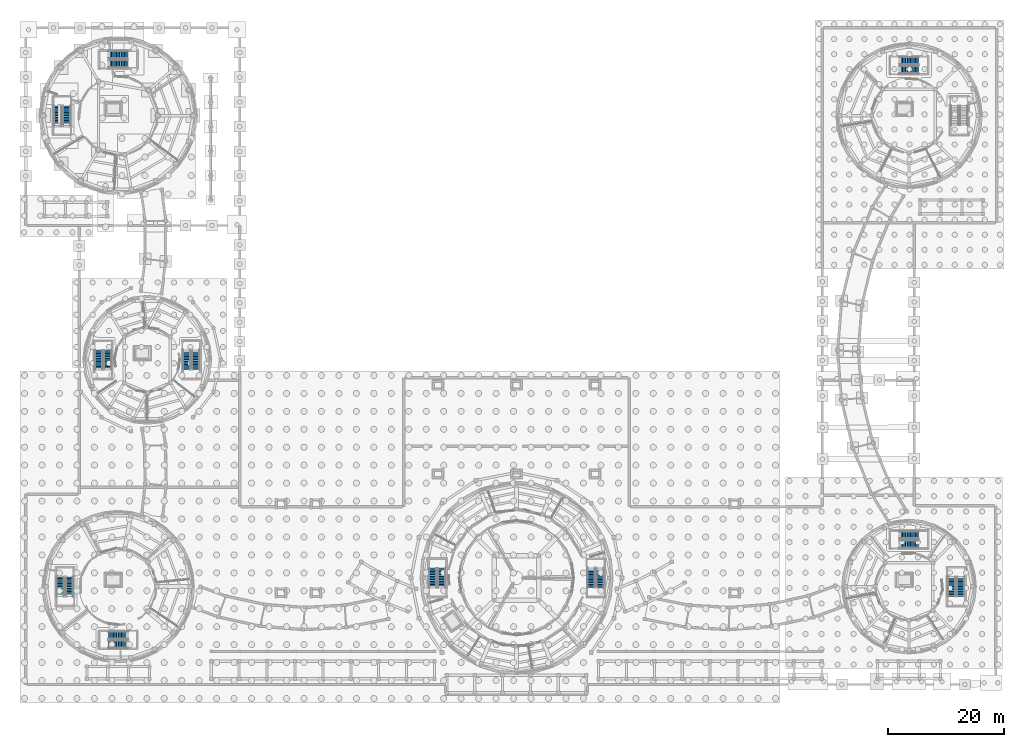
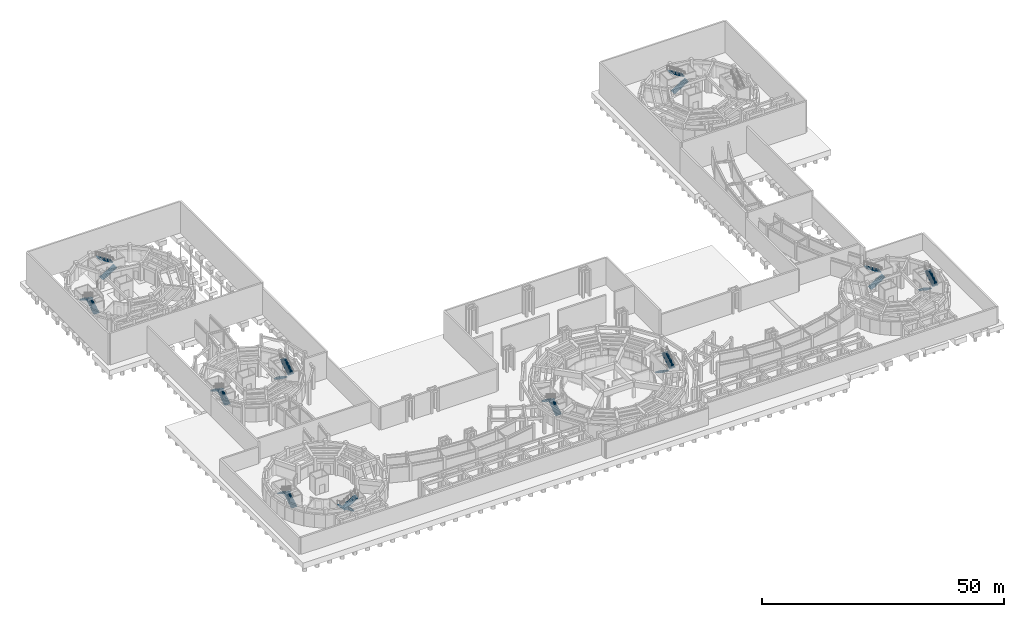
# One storey, part 48 of 57: 22 stair flights, 11 elements without a shape of their own.
"""IFC4 building model written with IfcOpenShell, lengths in metres."""

from ifc_helpers import new_model, si_unit, direction, frame, origin, place, context, subcontext, project, spatial, polyline, outline, extrude, material, type_object, element, aggregate, save


model = new_model("IFC4")

# Units and contexts
model_context = context("Model", 3, precision=1e-05, world=origin(), true_north=direction((0.0, 1.0)))
body_context = subcontext(model_context, "Body", "Model", "MODEL_VIEW")
ifc_project = project(units=[si_unit("LENGTHUNIT", "METRE"), si_unit("AREAUNIT", "SQUARE_METRE"), si_unit("VOLUMEUNIT", "CUBIC_METRE"), si_unit("PLANEANGLEUNIT", "RADIAN"), si_unit("MASSUNIT", "GRAM", prefix="KILO")], contexts=[model_context])

# Site, building, storey
site_placement = place(None, origin())
site = spatial("IfcSite", under=ifc_project, at=site_placement, CompositionType="ELEMENT")
building_placement = place(site_placement, origin())
building = spatial("IfcBuilding", under=site, at=building_placement, Name="Aldenvaro Health Centre", CompositionType="ELEMENT")
storey_placement = place(building_placement, frame((0.0, 0.0, -4.550048828125)))
storey = spatial("IfcBuildingStorey", under=building, at=storey_placement, Name="B1", CompositionType="ELEMENT", Elevation=-4.550048828125)

# Stair, stair flights
ifc_material = material(Name="Concrete f'c 40 MPa", Category="concrete")
stair_type = type_object("IfcStairType", Name="STR-DOG-455", PredefinedType="HALF_TURN_STAIR", material=ifc_material)
stair_1_placement = place(storey_placement, origin())
stair_1 = element("IfcStair", 1, at=stair_1_placement, inside=storey, type_object=stair_type, Name="B1 Exit Stair ST-01", PredefinedType="HALF_TURN_STAIR")
stair_flight_type_1 = type_object("IfcStairFlightType", Name="STRF-01", PredefinedType="STRAIGHT", material=ifc_material)
stair_flight_1_placement = place(storey_placement, frame((74.175048828125, 18.300048828125, 0.0), z_axis=(0.0, 0.0, 1.0), x_axis=(0.0, 1.0, 0.0)))
stair_flight_1 = element("IfcStairFlight", 2, at=stair_flight_1_placement, type_object=stair_flight_type_1, Name="ST-01 flight 1", NumberOfRisers=13, NumberOfTreads=12, PredefinedType="STRAIGHT", RiserHeight=0.175, TreadLength=0.28, context=body_context, shape_type="SweptSolid", body=[
    extrude(outline(polyline([(0.0, 0.0), (0.0, 0.175048828125), (0.280029296875, 0.175048828125), (0.280029296875, 0.35009765625), (0.56005859375, 0.35009765625), (0.56005859375, 0.52490234375), (0.840087890625, 0.52490234375), (0.840087890625, 0.699951171875), (1.1201171875, 0.699951171875), (1.1201171875, 0.875), (1.39990234375, 0.875), (1.39990234375, 1.050048828125), (1.679931640625, 1.050048828125), (1.679931640625, 1.22509765625), (1.9599609375, 1.22509765625), (1.9599609375, 1.39990234375), (2.239990234375, 1.39990234375), (2.239990234375, 1.574951171875), (2.52001953125, 1.574951171875), (2.52001953125, 1.75), (2.800048828125, 1.75), (2.800048828125, 1.925048828125), (3.080078125, 1.925048828125), (3.080078125, 2.10009765625), (3.360107421875, 2.10009765625), (3.360107421875, 2.27490234375), (3.360107421875, 1.911376953125), (0.3017578125, 0.0), (0.0, 0.0)])), frame((0.0, 0.675048828125, 0.0), z_axis=(0.0, -1.0, 0.0), x_axis=(1.0, 0.0, 0.0)), (0.0, 0.0, 1.0), 1.35009765625),
])
stair_flight_2_placement = place(storey_placement, frame((72.625, 21.659912109375, 2.275146484375), z_axis=(0.0, 0.0, 1.0), x_axis=(0.0, -1.0, 0.0)))
stair_flight_2 = element("IfcStairFlight", 3, at=stair_flight_2_placement, type_object=stair_flight_type_1, Name="ST-01 flight 2", NumberOfRisers=13, NumberOfTreads=12, PredefinedType="STRAIGHT", RiserHeight=0.175, TreadLength=0.28, context=body_context, shape_type="SweptSolid", body=[
    extrude(outline(polyline([(0.0, 0.0), (0.0, 0.175048828125), (0.280029296875, 0.175048828125), (0.280029296875, 0.35009765625), (0.56005859375, 0.35009765625), (0.56005859375, 0.52490234375), (0.840087890625, 0.52490234375), (0.840087890625, 0.699951171875), (1.1201171875, 0.699951171875), (1.1201171875, 0.875), (1.39990234375, 0.875), (1.39990234375, 1.050048828125), (1.679931640625, 1.050048828125), (1.679931640625, 1.22509765625), (1.9599609375, 1.22509765625), (1.9599609375, 1.39990234375), (2.239990234375, 1.39990234375), (2.239990234375, 1.574951171875), (2.52001953125, 1.574951171875), (2.52001953125, 1.75), (2.800048828125, 1.75), (2.800048828125, 1.925048828125), (3.080078125, 1.925048828125), (3.080078125, 2.10009765625), (3.360107421875, 2.10009765625), (3.360107421875, 2.27490234375), (3.360107421875, 1.911376953125), (0.3017578125, 0.0), (0.0, 0.0)])), frame((0.0, 0.675048828125, 0.0), z_axis=(0.0, -1.0, 0.0), x_axis=(1.0, 0.0, 0.0)), (0.0, 0.0, 1.0), 1.35009765625),
])
aggregate(stair_1, [stair_flight_1, stair_flight_2])

stair_2_placement = place(storey_placement, origin())
stair_2 = element("IfcStair", 4, at=stair_2_placement, inside=storey, type_object=stair_type, Name="B1 Exit Stair ST-05", PredefinedType="HALF_TURN_STAIR")
stair_flight_3_placement = place(storey_placement, frame((30.324951171875, 59.199951171875, 0.0), z_axis=(0.0, 0.0, 1.0), x_axis=(0.0, -1.0, 0.0)))
stair_flight_3 = element("IfcStairFlight", 5, at=stair_flight_3_placement, type_object=stair_flight_type_1, Name="ST-05 flight 1", NumberOfRisers=13, NumberOfTreads=12, PredefinedType="STRAIGHT", RiserHeight=0.175, TreadLength=0.28, context=body_context, shape_type="SweptSolid", body=[
    extrude(outline(polyline([(0.0, 0.0), (0.0, 0.175048828125), (0.280029296875, 0.175048828125), (0.280029296875, 0.35009765625), (0.56005859375, 0.35009765625), (0.56005859375, 0.52490234375), (0.840087890625, 0.52490234375), (0.840087890625, 0.699951171875), (1.1201171875, 0.699951171875), (1.1201171875, 0.875), (1.39990234375, 0.875), (1.39990234375, 1.050048828125), (1.679931640625, 1.050048828125), (1.679931640625, 1.22509765625), (1.9599609375, 1.22509765625), (1.9599609375, 1.39990234375), (2.239990234375, 1.39990234375), (2.239990234375, 1.574951171875), (2.52001953125, 1.574951171875), (2.52001953125, 1.75), (2.800048828125, 1.75), (2.800048828125, 1.925048828125), (3.080078125, 1.925048828125), (3.080078125, 2.10009765625), (3.360107421875, 2.10009765625), (3.360107421875, 2.27490234375), (3.360107421875, 1.911376953125), (0.3017578125, 0.0), (0.0, 0.0)])), frame((0.0, 0.675048828125, 0.0), z_axis=(0.0, -1.0, 0.0), x_axis=(1.0, 0.0, 0.0)), (0.0, 0.0, 1.0), 1.35009765625),
])
stair_flight_4_placement = place(storey_placement, frame((31.875, 55.840087890625, 2.275146484375), z_axis=(0.0, 0.0, 1.0), x_axis=(0.0, 1.0, 0.0)))
stair_flight_4 = element("IfcStairFlight", 6, at=stair_flight_4_placement, type_object=stair_flight_type_1, Name="ST-05 flight 2", NumberOfRisers=13, NumberOfTreads=12, PredefinedType="STRAIGHT", RiserHeight=0.175, TreadLength=0.28, context=body_context, shape_type="SweptSolid", body=[
    extrude(outline(polyline([(0.0, 0.0), (0.0, 0.175048828125), (0.280029296875, 0.175048828125), (0.280029296875, 0.35009765625), (0.56005859375, 0.35009765625), (0.56005859375, 0.52490234375), (0.840087890625, 0.52490234375), (0.840087890625, 0.699951171875), (1.1201171875, 0.699951171875), (1.1201171875, 0.875), (1.39990234375, 0.875), (1.39990234375, 1.050048828125), (1.679931640625, 1.050048828125), (1.679931640625, 1.22509765625), (1.9599609375, 1.22509765625), (1.9599609375, 1.39990234375), (2.239990234375, 1.39990234375), (2.239990234375, 1.574951171875), (2.52001953125, 1.574951171875), (2.52001953125, 1.75), (2.800048828125, 1.75), (2.800048828125, 1.925048828125), (3.080078125, 1.925048828125), (3.080078125, 2.10009765625), (3.360107421875, 2.10009765625), (3.360107421875, 2.27490234375), (3.360107421875, 1.911376953125), (0.3017578125, 0.0), (0.0, 0.0)])), frame((0.0, 0.675048828125, 0.0), z_axis=(0.0, -1.0, 0.0), x_axis=(1.0, 0.0, 0.0)), (0.0, 0.0, 1.0), 1.35009765625),
])
aggregate(stair_2, [stair_flight_3, stair_flight_4])

stair_3_placement = place(storey_placement, origin())
stair_3 = element("IfcStair", 7, at=stair_3_placement, inside=storey, type_object=stair_type, Name="B1 Exit Stair ST-07", PredefinedType="HALF_TURN_STAIR")
stair_flight_5_placement = place(storey_placement, frame((16.800048828125, 108.375, 0.0), z_axis=(0.0, 0.0, 1.0), x_axis=(1.0, 0.0, 0.0)))
stair_flight_5 = element("IfcStairFlight", 8, at=stair_flight_5_placement, type_object=stair_flight_type_1, Name="ST-07 flight 1", NumberOfRisers=13, NumberOfTreads=12, PredefinedType="STRAIGHT", RiserHeight=0.175, TreadLength=0.28, context=body_context, shape_type="SweptSolid", body=[
    extrude(outline(polyline([(0.0, 0.0), (0.0, 0.175048828125), (0.280029296875, 0.175048828125), (0.280029296875, 0.35009765625), (0.56005859375, 0.35009765625), (0.56005859375, 0.52490234375), (0.840087890625, 0.52490234375), (0.840087890625, 0.699951171875), (1.1201171875, 0.699951171875), (1.1201171875, 0.875), (1.39990234375, 0.875), (1.39990234375, 1.050048828125), (1.679931640625, 1.050048828125), (1.679931640625, 1.22509765625), (1.9599609375, 1.22509765625), (1.9599609375, 1.39990234375), (2.239990234375, 1.39990234375), (2.239990234375, 1.574951171875), (2.52001953125, 1.574951171875), (2.52001953125, 1.75), (2.800048828125, 1.75), (2.800048828125, 1.925048828125), (3.080078125, 1.925048828125), (3.080078125, 2.10009765625), (3.360107421875, 2.10009765625), (3.360107421875, 2.27490234375), (3.360107421875, 1.911376953125), (0.3017578125, 0.0), (0.0, 0.0)])), frame((0.0, 0.675048828125, 0.0), z_axis=(0.0, -1.0, 0.0), x_axis=(1.0, 0.0, 0.0)), (0.0, 0.0, 1.0), 1.35009765625),
])
stair_flight_6_placement = place(storey_placement, frame((20.159912109375, 109.925048828125, 2.275146484375), z_axis=(0.0, 0.0, 1.0), x_axis=(-1.0, 0.0, 0.0)))
stair_flight_6 = element("IfcStairFlight", 9, at=stair_flight_6_placement, type_object=stair_flight_type_1, Name="ST-07 flight 2", NumberOfRisers=13, NumberOfTreads=12, PredefinedType="STRAIGHT", RiserHeight=0.175, TreadLength=0.28, context=body_context, shape_type="SweptSolid", body=[
    extrude(outline(polyline([(0.0, 0.0), (0.0, 0.175048828125), (0.280029296875, 0.175048828125), (0.280029296875, 0.35009765625), (0.56005859375, 0.35009765625), (0.56005859375, 0.52490234375), (0.840087890625, 0.52490234375), (0.840087890625, 0.699951171875), (1.1201171875, 0.699951171875), (1.1201171875, 0.875), (1.39990234375, 0.875), (1.39990234375, 1.050048828125), (1.679931640625, 1.050048828125), (1.679931640625, 1.22509765625), (1.9599609375, 1.22509765625), (1.9599609375, 1.39990234375), (2.239990234375, 1.39990234375), (2.239990234375, 1.574951171875), (2.52001953125, 1.574951171875), (2.52001953125, 1.75), (2.800048828125, 1.75), (2.800048828125, 1.925048828125), (3.080078125, 1.925048828125), (3.080078125, 2.10009765625), (3.360107421875, 2.10009765625), (3.360107421875, 2.27490234375), (3.360107421875, 1.911376953125), (0.3017578125, 0.0), (0.0, 0.0)])), frame((0.0, 0.675048828125, 0.0), z_axis=(0.0, -1.0, 0.0), x_axis=(1.0, 0.0, 0.0)), (0.0, 0.0, 1.0), 1.35009765625),
])
aggregate(stair_3, [stair_flight_5, stair_flight_6])

stair_4_placement = place(storey_placement, origin())
stair_4 = element("IfcStair", 10, at=stair_4_placement, inside=storey, type_object=stair_type, Name="B1 Exit Stair ST-09", PredefinedType="HALF_TURN_STAIR")
stair_flight_7_placement = place(storey_placement, frame((10.125, 16.800048828125, 0.0), z_axis=(0.0, 0.0, 1.0), x_axis=(0.0, 1.0, 0.0)))
stair_flight_7 = element("IfcStairFlight", 11, at=stair_flight_7_placement, type_object=stair_flight_type_1, Name="ST-09 flight 1", NumberOfRisers=13, NumberOfTreads=12, PredefinedType="STRAIGHT", RiserHeight=0.175, TreadLength=0.28, context=body_context, shape_type="SweptSolid", body=[
    extrude(outline(polyline([(0.0, 0.0), (0.0, 0.175048828125), (0.280029296875, 0.175048828125), (0.280029296875, 0.35009765625), (0.56005859375, 0.35009765625), (0.56005859375, 0.52490234375), (0.840087890625, 0.52490234375), (0.840087890625, 0.699951171875), (1.1201171875, 0.699951171875), (1.1201171875, 0.875), (1.39990234375, 0.875), (1.39990234375, 1.050048828125), (1.679931640625, 1.050048828125), (1.679931640625, 1.22509765625), (1.9599609375, 1.22509765625), (1.9599609375, 1.39990234375), (2.239990234375, 1.39990234375), (2.239990234375, 1.574951171875), (2.52001953125, 1.574951171875), (2.52001953125, 1.75), (2.800048828125, 1.75), (2.800048828125, 1.925048828125), (3.080078125, 1.925048828125), (3.080078125, 2.10009765625), (3.360107421875, 2.10009765625), (3.360107421875, 2.27490234375), (3.360107421875, 1.911376953125), (0.3017578125, 0.0), (0.0, 0.0)])), frame((0.0, 0.675048828125, 0.0), z_axis=(0.0, -1.0, 0.0), x_axis=(1.0, 0.0, 0.0)), (0.0, 0.0, 1.0), 1.35009765625),
])
stair_flight_8_placement = place(storey_placement, frame((8.574951171875, 20.159912109375, 2.275146484375), z_axis=(0.0, 0.0, 1.0), x_axis=(0.0, -1.0, 0.0)))
stair_flight_8 = element("IfcStairFlight", 12, at=stair_flight_8_placement, type_object=stair_flight_type_1, Name="ST-09 flight 2", NumberOfRisers=13, NumberOfTreads=12, PredefinedType="STRAIGHT", RiserHeight=0.175, TreadLength=0.28, context=body_context, shape_type="SweptSolid", body=[
    extrude(outline(polyline([(0.0, 0.0), (0.0, 0.175048828125), (0.280029296875, 0.175048828125), (0.280029296875, 0.35009765625), (0.56005859375, 0.35009765625), (0.56005859375, 0.52490234375), (0.840087890625, 0.52490234375), (0.840087890625, 0.699951171875), (1.1201171875, 0.699951171875), (1.1201171875, 0.875), (1.39990234375, 0.875), (1.39990234375, 1.050048828125), (1.679931640625, 1.050048828125), (1.679931640625, 1.22509765625), (1.9599609375, 1.22509765625), (1.9599609375, 1.39990234375), (2.239990234375, 1.39990234375), (2.239990234375, 1.574951171875), (2.52001953125, 1.574951171875), (2.52001953125, 1.75), (2.800048828125, 1.75), (2.800048828125, 1.925048828125), (3.080078125, 1.925048828125), (3.080078125, 2.10009765625), (3.360107421875, 2.10009765625), (3.360107421875, 2.27490234375), (3.360107421875, 1.911376953125), (0.3017578125, 0.0), (0.0, 0.0)])), frame((0.0, 0.675048828125, 0.0), z_axis=(0.0, -1.0, 0.0), x_axis=(1.0, 0.0, 0.0)), (0.0, 0.0, 1.0), 1.35009765625),
])
aggregate(stair_4, [stair_flight_7, stair_flight_8])

stair_5_placement = place(storey_placement, origin())
stair_5 = element("IfcStair", 13, at=stair_5_placement, inside=storey, type_object=stair_type, Name="B1 Exit Stair ST-11", PredefinedType="HALF_TURN_STAIR")
stair_flight_9_placement = place(storey_placement, frame((161.824951171875, 20.199951171875, 0.0), z_axis=(0.0, 0.0, 1.0), x_axis=(0.0, -1.0, 0.0)))
stair_flight_9 = element("IfcStairFlight", 14, at=stair_flight_9_placement, type_object=stair_flight_type_1, Name="ST-11 flight 1", NumberOfRisers=13, NumberOfTreads=12, PredefinedType="STRAIGHT", RiserHeight=0.175, TreadLength=0.28, context=body_context, shape_type="SweptSolid", body=[
    extrude(outline(polyline([(0.0, 0.0), (0.0, 0.175048828125), (0.280029296875, 0.175048828125), (0.280029296875, 0.35009765625), (0.56005859375, 0.35009765625), (0.56005859375, 0.52490234375), (0.840087890625, 0.52490234375), (0.840087890625, 0.699951171875), (1.1201171875, 0.699951171875), (1.1201171875, 0.875), (1.39990234375, 0.875), (1.39990234375, 1.050048828125), (1.679931640625, 1.050048828125), (1.679931640625, 1.22509765625), (1.9599609375, 1.22509765625), (1.9599609375, 1.39990234375), (2.239990234375, 1.39990234375), (2.239990234375, 1.574951171875), (2.52001953125, 1.574951171875), (2.52001953125, 1.75), (2.800048828125, 1.75), (2.800048828125, 1.925048828125), (3.080078125, 1.925048828125), (3.080078125, 2.10009765625), (3.360107421875, 2.10009765625), (3.360107421875, 2.27490234375), (3.360107421875, 1.911376953125), (0.3017578125, 0.0), (0.0, 0.0)])), frame((0.0, 0.675048828125, 0.0), z_axis=(0.0, -1.0, 0.0), x_axis=(1.0, 0.0, 0.0)), (0.0, 0.0, 1.0), 1.35009765625),
])
stair_flight_10_placement = place(storey_placement, frame((163.375, 16.840087890625, 2.275146484375), z_axis=(0.0, 0.0, 1.0), x_axis=(0.0, 1.0, 0.0)))
stair_flight_10 = element("IfcStairFlight", 15, at=stair_flight_10_placement, type_object=stair_flight_type_1, Name="ST-11 flight 2", NumberOfRisers=13, NumberOfTreads=12, PredefinedType="STRAIGHT", RiserHeight=0.175, TreadLength=0.28, context=body_context, shape_type="SweptSolid", body=[
    extrude(outline(polyline([(0.0, 0.0), (0.0, 0.175048828125), (0.280029296875, 0.175048828125), (0.280029296875, 0.35009765625), (0.56005859375, 0.35009765625), (0.56005859375, 0.52490234375), (0.840087890625, 0.52490234375), (0.840087890625, 0.699951171875), (1.1201171875, 0.699951171875), (1.1201171875, 0.875), (1.39990234375, 0.875), (1.39990234375, 1.050048828125), (1.679931640625, 1.050048828125), (1.679931640625, 1.22509765625), (1.9599609375, 1.22509765625), (1.9599609375, 1.39990234375), (2.239990234375, 1.39990234375), (2.239990234375, 1.574951171875), (2.52001953125, 1.574951171875), (2.52001953125, 1.75), (2.800048828125, 1.75), (2.800048828125, 1.925048828125), (3.080078125, 1.925048828125), (3.080078125, 2.10009765625), (3.360107421875, 2.10009765625), (3.360107421875, 2.27490234375), (3.360107421875, 1.911376953125), (0.3017578125, 0.0), (0.0, 0.0)])), frame((0.0, 0.675048828125, 0.0), z_axis=(0.0, -1.0, 0.0), x_axis=(1.0, 0.0, 0.0)), (0.0, 0.0, 1.0), 1.35009765625),
])
aggregate(stair_5, [stair_flight_9, stair_flight_10])

stair_6_placement = place(storey_placement, origin())
stair_6 = element("IfcStair", 16, at=stair_6_placement, inside=storey, type_object=stair_type, Name="B1 Exit Stair ST-02", PredefinedType="HALF_TURN_STAIR")
stair_flight_type_2 = type_object("IfcStairFlightType", Name="STRF-02", PredefinedType="STRAIGHT", material=ifc_material)
stair_flight_11_placement = place(storey_placement, frame((99.824951171875, 21.699951171875, 0.0), z_axis=(0.0, 0.0, 1.0), x_axis=(0.0, -1.0, 0.0)))
stair_flight_11 = element("IfcStairFlight", 17, at=stair_flight_11_placement, type_object=stair_flight_type_2, Name="ST-02 flight 1", NumberOfRisers=13, NumberOfTreads=12, PredefinedType="STRAIGHT", RiserHeight=0.175, TreadLength=0.28, context=body_context, shape_type="SweptSolid", body=[
    extrude(outline(polyline([(0.0, 0.0), (0.0, 0.175048828125), (0.280029296875, 0.175048828125), (0.280029296875, 0.35009765625), (0.56005859375, 0.35009765625), (0.56005859375, 0.52490234375), (0.840087890625, 0.52490234375), (0.840087890625, 0.699951171875), (1.1201171875, 0.699951171875), (1.1201171875, 0.875), (1.39990234375, 0.875), (1.39990234375, 1.050048828125), (1.679931640625, 1.050048828125), (1.679931640625, 1.22509765625), (1.9599609375, 1.22509765625), (1.9599609375, 1.39990234375), (2.239990234375, 1.39990234375), (2.239990234375, 1.574951171875), (2.52001953125, 1.574951171875), (2.52001953125, 1.75), (2.800048828125, 1.75), (2.800048828125, 1.925048828125), (3.080078125, 1.925048828125), (3.080078125, 2.10009765625), (3.360107421875, 2.10009765625), (3.360107421875, 2.27490234375), (3.360107421875, 1.911376953125), (0.3017578125, 0.0), (0.0, 0.0)])), frame((0.0, 0.675048828125, 0.0), z_axis=(0.0, -1.0, 0.0), x_axis=(1.0, 0.0, 0.0)), (0.0, 0.0, 1.0), 1.35009765625),
])
stair_flight_12_placement = place(storey_placement, frame((101.375, 18.340087890625, 2.275146484375), z_axis=(0.0, 0.0, 1.0), x_axis=(0.0, 1.0, 0.0)))
stair_flight_12 = element("IfcStairFlight", 18, at=stair_flight_12_placement, type_object=stair_flight_type_2, Name="ST-02 flight 2", NumberOfRisers=13, NumberOfTreads=12, PredefinedType="STRAIGHT", RiserHeight=0.175, TreadLength=0.28, context=body_context, shape_type="SweptSolid", body=[
    extrude(outline(polyline([(0.0, 0.0), (0.0, 0.175048828125), (0.280029296875, 0.175048828125), (0.280029296875, 0.35009765625), (0.56005859375, 0.35009765625), (0.56005859375, 0.52490234375), (0.840087890625, 0.52490234375), (0.840087890625, 0.699951171875), (1.1201171875, 0.699951171875), (1.1201171875, 0.875), (1.39990234375, 0.875), (1.39990234375, 1.050048828125), (1.679931640625, 1.050048828125), (1.679931640625, 1.22509765625), (1.9599609375, 1.22509765625), (1.9599609375, 1.39990234375), (2.239990234375, 1.39990234375), (2.239990234375, 1.574951171875), (2.52001953125, 1.574951171875), (2.52001953125, 1.75), (2.800048828125, 1.75), (2.800048828125, 1.925048828125), (3.080078125, 1.925048828125), (3.080078125, 2.10009765625), (3.360107421875, 2.10009765625), (3.360107421875, 2.27490234375), (3.360107421875, 1.911376953125), (0.3017578125, 0.0), (0.0, 0.0)])), frame((0.0, 0.675048828125, 0.0), z_axis=(0.0, -1.0, 0.0), x_axis=(1.0, 0.0, 0.0)), (0.0, 0.0, 1.0), 1.35009765625),
])
aggregate(stair_6, [stair_flight_11, stair_flight_12])

stair_7_placement = place(storey_placement, origin())
stair_7 = element("IfcStair", 19, at=stair_7_placement, inside=storey, type_object=stair_type, Name="B1 Exit Stair ST-04", PredefinedType="HALF_TURN_STAIR")
stair_flight_13_placement = place(storey_placement, frame((152.800048828125, 107.375, 0.0), z_axis=(0.0, 0.0, 1.0), x_axis=(1.0, 0.0, 0.0)))
stair_flight_13 = element("IfcStairFlight", 20, at=stair_flight_13_placement, type_object=stair_flight_type_2, Name="ST-04 flight 1", NumberOfRisers=13, NumberOfTreads=12, PredefinedType="STRAIGHT", RiserHeight=0.175, TreadLength=0.28, context=body_context, shape_type="SweptSolid", body=[
    extrude(outline(polyline([(0.0, 0.0), (0.0, 0.175048828125), (0.280029296875, 0.175048828125), (0.280029296875, 0.35009765625), (0.56005859375, 0.35009765625), (0.56005859375, 0.52490234375), (0.840087890625, 0.52490234375), (0.840087890625, 0.699951171875), (1.1201171875, 0.699951171875), (1.1201171875, 0.875), (1.39990234375, 0.875), (1.39990234375, 1.050048828125), (1.679931640625, 1.050048828125), (1.679931640625, 1.22509765625), (1.9599609375, 1.22509765625), (1.9599609375, 1.39990234375), (2.239990234375, 1.39990234375), (2.239990234375, 1.574951171875), (2.52001953125, 1.574951171875), (2.52001953125, 1.75), (2.800048828125, 1.75), (2.800048828125, 1.925048828125), (3.080078125, 1.925048828125), (3.080078125, 2.10009765625), (3.360107421875, 2.10009765625), (3.360107421875, 2.27490234375), (3.360107421875, 1.911376953125), (0.3017578125, 0.0), (0.0, 0.0)])), frame((0.0, 0.675048828125, 0.0), z_axis=(0.0, -1.0, 0.0), x_axis=(1.0, 0.0, 0.0)), (0.0, 0.0, 1.0), 1.35009765625),
])
stair_flight_14_placement = place(storey_placement, frame((156.159912109375, 108.925048828125, 2.275146484375), z_axis=(0.0, 0.0, 1.0), x_axis=(-1.0, 0.0, 0.0)))
stair_flight_14 = element("IfcStairFlight", 21, at=stair_flight_14_placement, type_object=stair_flight_type_2, Name="ST-04 flight 2", NumberOfRisers=13, NumberOfTreads=12, PredefinedType="STRAIGHT", RiserHeight=0.175, TreadLength=0.28, context=body_context, shape_type="SweptSolid", body=[
    extrude(outline(polyline([(0.0, 0.0), (0.0, 0.175048828125), (0.280029296875, 0.175048828125), (0.280029296875, 0.35009765625), (0.56005859375, 0.35009765625), (0.56005859375, 0.52490234375), (0.840087890625, 0.52490234375), (0.840087890625, 0.699951171875), (1.1201171875, 0.699951171875), (1.1201171875, 0.875), (1.39990234375, 0.875), (1.39990234375, 1.050048828125), (1.679931640625, 1.050048828125), (1.679931640625, 1.22509765625), (1.9599609375, 1.22509765625), (1.9599609375, 1.39990234375), (2.239990234375, 1.39990234375), (2.239990234375, 1.574951171875), (2.52001953125, 1.574951171875), (2.52001953125, 1.75), (2.800048828125, 1.75), (2.800048828125, 1.925048828125), (3.080078125, 1.925048828125), (3.080078125, 2.10009765625), (3.360107421875, 2.10009765625), (3.360107421875, 2.27490234375), (3.360107421875, 1.911376953125), (0.3017578125, 0.0), (0.0, 0.0)])), frame((0.0, 0.675048828125, 0.0), z_axis=(0.0, -1.0, 0.0), x_axis=(1.0, 0.0, 0.0)), (0.0, 0.0, 1.0), 1.35009765625),
])
aggregate(stair_7, [stair_flight_13, stair_flight_14])

stair_8_placement = place(storey_placement, origin())
stair_8 = element("IfcStair", 22, at=stair_8_placement, inside=storey, type_object=stair_type, Name="B1 Exit Stair ST-06", PredefinedType="HALF_TURN_STAIR")
stair_flight_15_placement = place(storey_placement, frame((16.675048828125, 55.800048828125, 0.0), z_axis=(0.0, 0.0, 1.0), x_axis=(0.0, 1.0, 0.0)))
stair_flight_15 = element("IfcStairFlight", 23, at=stair_flight_15_placement, type_object=stair_flight_type_2, Name="ST-06 flight 1", NumberOfRisers=13, NumberOfTreads=12, PredefinedType="STRAIGHT", RiserHeight=0.175, TreadLength=0.28, context=body_context, shape_type="SweptSolid", body=[
    extrude(outline(polyline([(0.0, 0.0), (0.0, 0.175048828125), (0.280029296875, 0.175048828125), (0.280029296875, 0.35009765625), (0.56005859375, 0.35009765625), (0.56005859375, 0.52490234375), (0.840087890625, 0.52490234375), (0.840087890625, 0.699951171875), (1.1201171875, 0.699951171875), (1.1201171875, 0.875), (1.39990234375, 0.875), (1.39990234375, 1.050048828125), (1.679931640625, 1.050048828125), (1.679931640625, 1.22509765625), (1.9599609375, 1.22509765625), (1.9599609375, 1.39990234375), (2.239990234375, 1.39990234375), (2.239990234375, 1.574951171875), (2.52001953125, 1.574951171875), (2.52001953125, 1.75), (2.800048828125, 1.75), (2.800048828125, 1.925048828125), (3.080078125, 1.925048828125), (3.080078125, 2.10009765625), (3.360107421875, 2.10009765625), (3.360107421875, 2.27490234375), (3.360107421875, 1.911376953125), (0.3017578125, 0.0), (0.0, 0.0)])), frame((0.0, 0.675048828125, 0.0), z_axis=(0.0, -1.0, 0.0), x_axis=(1.0, 0.0, 0.0)), (0.0, 0.0, 1.0), 1.35009765625),
])
stair_flight_16_placement = place(storey_placement, frame((15.125, 59.159912109375, 2.275146484375), z_axis=(0.0, 0.0, 1.0), x_axis=(0.0, -1.0, 0.0)))
stair_flight_16 = element("IfcStairFlight", 24, at=stair_flight_16_placement, type_object=stair_flight_type_2, Name="ST-06 flight 2", NumberOfRisers=13, NumberOfTreads=12, PredefinedType="STRAIGHT", RiserHeight=0.175, TreadLength=0.28, context=body_context, shape_type="SweptSolid", body=[
    extrude(outline(polyline([(0.0, 0.0), (0.0, 0.175048828125), (0.280029296875, 0.175048828125), (0.280029296875, 0.35009765625), (0.56005859375, 0.35009765625), (0.56005859375, 0.52490234375), (0.840087890625, 0.52490234375), (0.840087890625, 0.699951171875), (1.1201171875, 0.699951171875), (1.1201171875, 0.875), (1.39990234375, 0.875), (1.39990234375, 1.050048828125), (1.679931640625, 1.050048828125), (1.679931640625, 1.22509765625), (1.9599609375, 1.22509765625), (1.9599609375, 1.39990234375), (2.239990234375, 1.39990234375), (2.239990234375, 1.574951171875), (2.52001953125, 1.574951171875), (2.52001953125, 1.75), (2.800048828125, 1.75), (2.800048828125, 1.925048828125), (3.080078125, 1.925048828125), (3.080078125, 2.10009765625), (3.360107421875, 2.10009765625), (3.360107421875, 2.27490234375), (3.360107421875, 1.911376953125), (0.3017578125, 0.0), (0.0, 0.0)])), frame((0.0, 0.675048828125, 0.0), z_axis=(0.0, -1.0, 0.0), x_axis=(1.0, 0.0, 0.0)), (0.0, 0.0, 1.0), 1.35009765625),
])
aggregate(stair_8, [stair_flight_15, stair_flight_16])

stair_9_placement = place(storey_placement, origin())
stair_9 = element("IfcStair", 25, at=stair_9_placement, inside=storey, type_object=stair_type, Name="B1 Exit Stair ST-08", PredefinedType="HALF_TURN_STAIR")
stair_flight_17_placement = place(storey_placement, frame((9.625, 97.800048828125, 0.0), z_axis=(0.0, 0.0, 1.0), x_axis=(0.0, 1.0, 0.0)))
stair_flight_17 = element("IfcStairFlight", 26, at=stair_flight_17_placement, type_object=stair_flight_type_2, Name="ST-08 flight 1", NumberOfRisers=13, NumberOfTreads=12, PredefinedType="STRAIGHT", RiserHeight=0.175, TreadLength=0.28, context=body_context, shape_type="SweptSolid", body=[
    extrude(outline(polyline([(0.0, 0.0), (0.0, 0.175048828125), (0.280029296875, 0.175048828125), (0.280029296875, 0.35009765625), (0.56005859375, 0.35009765625), (0.56005859375, 0.52490234375), (0.840087890625, 0.52490234375), (0.840087890625, 0.699951171875), (1.1201171875, 0.699951171875), (1.1201171875, 0.875), (1.39990234375, 0.875), (1.39990234375, 1.050048828125), (1.679931640625, 1.050048828125), (1.679931640625, 1.22509765625), (1.9599609375, 1.22509765625), (1.9599609375, 1.39990234375), (2.239990234375, 1.39990234375), (2.239990234375, 1.574951171875), (2.52001953125, 1.574951171875), (2.52001953125, 1.75), (2.800048828125, 1.75), (2.800048828125, 1.925048828125), (3.080078125, 1.925048828125), (3.080078125, 2.10009765625), (3.360107421875, 2.10009765625), (3.360107421875, 2.27490234375), (3.360107421875, 1.911376953125), (0.3017578125, 0.0), (0.0, 0.0)])), frame((0.0, 0.675048828125, 0.0), z_axis=(0.0, -1.0, 0.0), x_axis=(1.0, 0.0, 0.0)), (0.0, 0.0, 1.0), 1.35009765625),
])
stair_flight_18_placement = place(storey_placement, frame((8.074951171875, 101.159912109375, 2.275146484375), z_axis=(0.0, 0.0, 1.0), x_axis=(0.0, -1.0, 0.0)))
stair_flight_18 = element("IfcStairFlight", 27, at=stair_flight_18_placement, type_object=stair_flight_type_2, Name="ST-08 flight 2", NumberOfRisers=13, NumberOfTreads=12, PredefinedType="STRAIGHT", RiserHeight=0.175, TreadLength=0.28, context=body_context, shape_type="SweptSolid", body=[
    extrude(outline(polyline([(0.0, 0.0), (0.0, 0.175048828125), (0.280029296875, 0.175048828125), (0.280029296875, 0.35009765625), (0.56005859375, 0.35009765625), (0.56005859375, 0.52490234375), (0.840087890625, 0.52490234375), (0.840087890625, 0.699951171875), (1.1201171875, 0.699951171875), (1.1201171875, 0.875), (1.39990234375, 0.875), (1.39990234375, 1.050048828125), (1.679931640625, 1.050048828125), (1.679931640625, 1.22509765625), (1.9599609375, 1.22509765625), (1.9599609375, 1.39990234375), (2.239990234375, 1.39990234375), (2.239990234375, 1.574951171875), (2.52001953125, 1.574951171875), (2.52001953125, 1.75), (2.800048828125, 1.75), (2.800048828125, 1.925048828125), (3.080078125, 1.925048828125), (3.080078125, 2.10009765625), (3.360107421875, 2.10009765625), (3.360107421875, 2.27490234375), (3.360107421875, 1.911376953125), (0.3017578125, 0.0), (0.0, 0.0)])), frame((0.0, 0.675048828125, 0.0), z_axis=(0.0, -1.0, 0.0), x_axis=(1.0, 0.0, 0.0)), (0.0, 0.0, 1.0), 1.35009765625),
])
aggregate(stair_9, [stair_flight_17, stair_flight_18])

stair_10_placement = place(storey_placement, origin())
stair_10 = element("IfcStair", 28, at=stair_10_placement, inside=storey, type_object=stair_type, Name="B1 Exit Stair ST-10", PredefinedType="HALF_TURN_STAIR")
stair_flight_19_placement = place(storey_placement, frame((20.199951171875, 10.125, 0.0), z_axis=(0.0, 0.0, 1.0), x_axis=(-1.0, 0.0, 0.0)))
stair_flight_19 = element("IfcStairFlight", 29, at=stair_flight_19_placement, type_object=stair_flight_type_2, Name="ST-10 flight 1", NumberOfRisers=13, NumberOfTreads=12, PredefinedType="STRAIGHT", RiserHeight=0.175, TreadLength=0.28, context=body_context, shape_type="SweptSolid", body=[
    extrude(outline(polyline([(0.0, 0.0), (0.0, 0.175048828125), (0.280029296875, 0.175048828125), (0.280029296875, 0.35009765625), (0.56005859375, 0.35009765625), (0.56005859375, 0.52490234375), (0.840087890625, 0.52490234375), (0.840087890625, 0.699951171875), (1.1201171875, 0.699951171875), (1.1201171875, 0.875), (1.39990234375, 0.875), (1.39990234375, 1.050048828125), (1.679931640625, 1.050048828125), (1.679931640625, 1.22509765625), (1.9599609375, 1.22509765625), (1.9599609375, 1.39990234375), (2.239990234375, 1.39990234375), (2.239990234375, 1.574951171875), (2.52001953125, 1.574951171875), (2.52001953125, 1.75), (2.800048828125, 1.75), (2.800048828125, 1.925048828125), (3.080078125, 1.925048828125), (3.080078125, 2.10009765625), (3.360107421875, 2.10009765625), (3.360107421875, 2.27490234375), (3.360107421875, 1.911376953125), (0.3017578125, 0.0), (0.0, 0.0)])), frame((0.0, 0.675048828125, 0.0), z_axis=(0.0, -1.0, 0.0), x_axis=(1.0, 0.0, 0.0)), (0.0, 0.0, 1.0), 1.35009765625),
])
stair_flight_20_placement = place(storey_placement, frame((16.840087890625, 8.574951171875, 2.275146484375), z_axis=(0.0, 0.0, 1.0), x_axis=(1.0, 0.0, 0.0)))
stair_flight_20 = element("IfcStairFlight", 30, at=stair_flight_20_placement, type_object=stair_flight_type_2, Name="ST-10 flight 2", NumberOfRisers=13, NumberOfTreads=12, PredefinedType="STRAIGHT", RiserHeight=0.175, TreadLength=0.28, context=body_context, shape_type="SweptSolid", body=[
    extrude(outline(polyline([(0.0, 0.0), (0.0, 0.175048828125), (0.280029296875, 0.175048828125), (0.280029296875, 0.35009765625), (0.56005859375, 0.35009765625), (0.56005859375, 0.52490234375), (0.840087890625, 0.52490234375), (0.840087890625, 0.699951171875), (1.1201171875, 0.699951171875), (1.1201171875, 0.875), (1.39990234375, 0.875), (1.39990234375, 1.050048828125), (1.679931640625, 1.050048828125), (1.679931640625, 1.22509765625), (1.9599609375, 1.22509765625), (1.9599609375, 1.39990234375), (2.239990234375, 1.39990234375), (2.239990234375, 1.574951171875), (2.52001953125, 1.574951171875), (2.52001953125, 1.75), (2.800048828125, 1.75), (2.800048828125, 1.925048828125), (3.080078125, 1.925048828125), (3.080078125, 2.10009765625), (3.360107421875, 2.10009765625), (3.360107421875, 2.27490234375), (3.360107421875, 1.911376953125), (0.3017578125, 0.0), (0.0, 0.0)])), frame((0.0, 0.675048828125, 0.0), z_axis=(0.0, -1.0, 0.0), x_axis=(1.0, 0.0, 0.0)), (0.0, 0.0, 1.0), 1.35009765625),
])
aggregate(stair_10, [stair_flight_19, stair_flight_20])

stair_11_placement = place(storey_placement, origin())
stair_11 = element("IfcStair", 31, at=stair_11_placement, inside=storey, type_object=stair_type, Name="B1 Exit Stair ST-12", PredefinedType="HALF_TURN_STAIR")
stair_flight_21_placement = place(storey_placement, frame((152.800048828125, 25.824951171875, 0.0), z_axis=(0.0, 0.0, 1.0), x_axis=(1.0, 0.0, 0.0)))
stair_flight_21 = element("IfcStairFlight", 32, at=stair_flight_21_placement, type_object=stair_flight_type_2, Name="ST-12 flight 1", NumberOfRisers=13, NumberOfTreads=12, PredefinedType="STRAIGHT", RiserHeight=0.175, TreadLength=0.28, context=body_context, shape_type="SweptSolid", body=[
    extrude(outline(polyline([(0.0, 0.0), (0.0, 0.175048828125), (0.280029296875, 0.175048828125), (0.280029296875, 0.35009765625), (0.56005859375, 0.35009765625), (0.56005859375, 0.52490234375), (0.840087890625, 0.52490234375), (0.840087890625, 0.699951171875), (1.1201171875, 0.699951171875), (1.1201171875, 0.875), (1.39990234375, 0.875), (1.39990234375, 1.050048828125), (1.679931640625, 1.050048828125), (1.679931640625, 1.22509765625), (1.9599609375, 1.22509765625), (1.9599609375, 1.39990234375), (2.239990234375, 1.39990234375), (2.239990234375, 1.574951171875), (2.52001953125, 1.574951171875), (2.52001953125, 1.75), (2.800048828125, 1.75), (2.800048828125, 1.925048828125), (3.080078125, 1.925048828125), (3.080078125, 2.10009765625), (3.360107421875, 2.10009765625), (3.360107421875, 2.27490234375), (3.360107421875, 1.911376953125), (0.3017578125, 0.0), (0.0, 0.0)])), frame((0.0, 0.675048828125, 0.0), z_axis=(0.0, -1.0, 0.0), x_axis=(1.0, 0.0, 0.0)), (0.0, 0.0, 1.0), 1.35009765625),
])
stair_flight_22_placement = place(storey_placement, frame((156.159912109375, 27.375, 2.275146484375), z_axis=(0.0, 0.0, 1.0), x_axis=(-1.0, 0.0, 0.0)))
stair_flight_22 = element("IfcStairFlight", 33, at=stair_flight_22_placement, type_object=stair_flight_type_2, Name="ST-12 flight 2", NumberOfRisers=13, NumberOfTreads=12, PredefinedType="STRAIGHT", RiserHeight=0.175, TreadLength=0.28, context=body_context, shape_type="SweptSolid", body=[
    extrude(outline(polyline([(0.0, 0.0), (0.0, 0.175048828125), (0.280029296875, 0.175048828125), (0.280029296875, 0.35009765625), (0.56005859375, 0.35009765625), (0.56005859375, 0.52490234375), (0.840087890625, 0.52490234375), (0.840087890625, 0.699951171875), (1.1201171875, 0.699951171875), (1.1201171875, 0.875), (1.39990234375, 0.875), (1.39990234375, 1.050048828125), (1.679931640625, 1.050048828125), (1.679931640625, 1.22509765625), (1.9599609375, 1.22509765625), (1.9599609375, 1.39990234375), (2.239990234375, 1.39990234375), (2.239990234375, 1.574951171875), (2.52001953125, 1.574951171875), (2.52001953125, 1.75), (2.800048828125, 1.75), (2.800048828125, 1.925048828125), (3.080078125, 1.925048828125), (3.080078125, 2.10009765625), (3.360107421875, 2.10009765625), (3.360107421875, 2.27490234375), (3.360107421875, 1.911376953125), (0.3017578125, 0.0), (0.0, 0.0)])), frame((0.0, 0.675048828125, 0.0), z_axis=(0.0, -1.0, 0.0), x_axis=(1.0, 0.0, 0.0)), (0.0, 0.0, 1.0), 1.35009765625),
])
aggregate(stair_11, [stair_flight_21, stair_flight_22])

save(model, "model.ifc")
